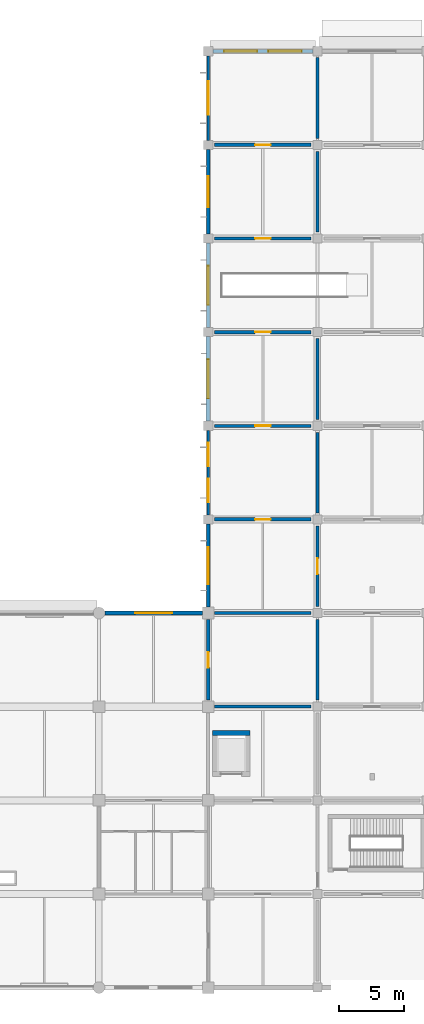
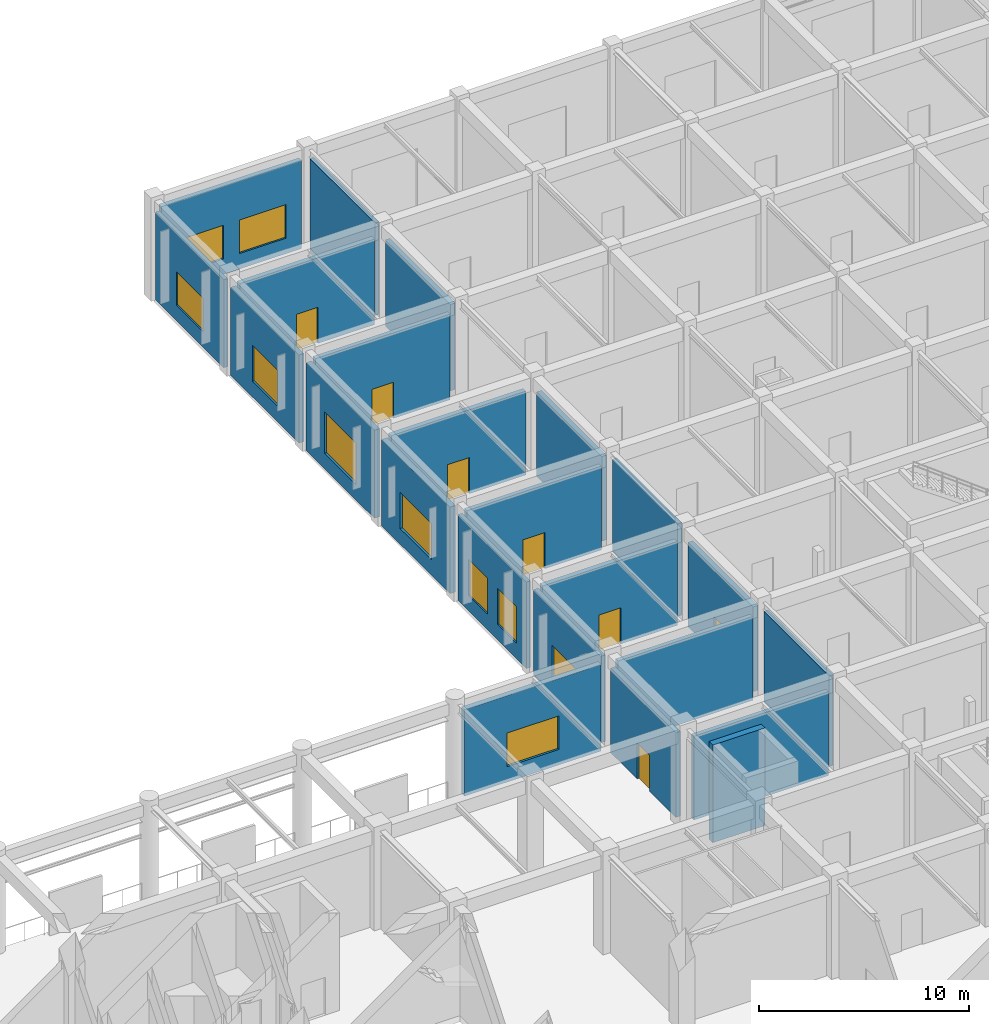
# One storey, part 22 of 39: 23 walls, 10 windows, 7 doors, 17 openings.
"""IFC4 building model written with IfcOpenShell, lengths in metres."""

from ifc_helpers import new_model, si_unit, derived_unit, direction, frame, frame_2d, origin, place, context, subcontext, project, spatial, rectangle, extrude, material, layer, layer_set, type_object, element, fill, save


model = new_model("IFC4")

# Units and contexts
model_context = context("Model", 3, precision=1e-05, world=origin(), true_north=direction((0.0, 1.0)))
body_context = subcontext(model_context, "Body", "Model", "MODEL_VIEW")
ifc_project = project(units=[si_unit("LENGTHUNIT", "METRE"), si_unit("AREAUNIT", "SQUARE_METRE"), si_unit("VOLUMEUNIT", "CUBIC_METRE"), si_unit("PLANEANGLEUNIT", "RADIAN"), si_unit("MASSUNIT", "GRAM", prefix="KILO"), derived_unit("THERMALTRANSMITTANCEUNIT", [(si_unit("MASSUNIT", "GRAM", prefix="KILO"), 1), (si_unit("TIMEUNIT", "SECOND"), -3), (si_unit("THERMODYNAMICTEMPERATUREUNIT", "KELVIN"), -1)])], contexts=[model_context])

# Site, building, storey
site_placement = place(None, origin())
site = spatial("IfcSite", under=ifc_project, at=site_placement, CompositionType="ELEMENT")
building_placement = place(site_placement, origin())
building = spatial("IfcBuilding", under=site, at=building_placement, Name="Veldstrom Oceanarium and Marine Research Institute", CompositionType="ELEMENT")
storey_placement = place(building_placement, origin())
storey = spatial("IfcBuildingStorey", under=building, at=storey_placement, Name="L00", CompositionType="ELEMENT", Elevation=0.0)

# Wall, opening, window
ifc_material_1 = material(Name="Masonry Cavity Wall", Category="masonry")
ifc_layer_1 = layer(ifc_material_1, 0.31005859375)
ifc_layer_set_1 = layer_set([ifc_layer_1], Name="ARC-WAL-EW1")
wall_type_1 = type_object("IfcWallType", Name="ARC-WAL-EW1", PredefinedType="SOLIDWALL", material=ifc_layer_set_1)
wall_1_placement = place(storey_placement, frame((117.60009765625, 86.75, 0.0), z_axis=(0.0, 0.0, 1.0), x_axis=(0.0, 1.0, 0.0)))
wall_1 = element("IfcWall", 1, at=wall_1_placement, inside=storey, type_object=wall_type_1, Name="Exterior Facade Wall EW1 L00-038", PredefinedType="SOLIDWALL", context=body_context, shape_type="SweptSolid", body=[
    extrude(rectangle(XDim=6.5, YDim=0.31005859375, at=frame_2d((3.25, 0.0))), origin(), (0.0, 0.0, 1.0), 5.02001953125),
])
opening_1_placement = place(wall_1_placement, frame((1.75, 0.0, 0.89990234375)))
opening_1 = element("IfcOpeningElement", 2, at=opening_1_placement, cuts=wall_1, Name="Opening W07", PredefinedType="OPENING", context=body_context, shape_type="SweptSolid", body=[
    extrude(rectangle(XDim=3.0, YDim=2.10009765625, at=frame_2d((1.5, 1.050048828125))), frame((0.0, 0.1650390625, 0.0), z_axis=(0.0, -1.0, 0.0), x_axis=(1.0, 0.0, 0.0)), (0.0, 0.0, 1.0), 0.330078125),
])
ifc_material_2 = material(Name="Double Glazed Low-E IGU", Category="glass")
window_type_1 = type_object("IfcWindowType", Name="ARC-WIN-W07", PartitioningType="SINGLE_PANEL", PredefinedType="WINDOW", material=ifc_material_2)
window_1_placement = place(opening_1_placement, origin())
window_1 = element("IfcWindow", 3, at=window_1_placement, inside=storey, type_object=window_type_1, Name="Facade Window W07 L00-0022", OverallHeight=2.10009765625, OverallWidth=3.0, PartitioningType="SINGLE_PANEL", PredefinedType="WINDOW", context=body_context, shape_type="SweptSolid", body=[
    extrude(rectangle(XDim=3.0, YDim=2.10009765625, at=frame_2d((1.5, 1.050048828125))), frame((0.0, 0.030029296875, 0.0), z_axis=(0.0, -1.0, 0.0), x_axis=(1.0, 0.0, 0.0)), (0.0, 0.0, 1.0), 0.06005859375),
])
fill(opening_1, window_1)

ifc_material_3 = material(Name="Masonry Cavity Wall", Category="masonry")
ifc_layer_2 = layer(ifc_material_3, 0.2900390625)
ifc_layer_set_2 = layer_set([ifc_layer_2], Name="ARC-WAL-EW2")
wall_type_2 = type_object("IfcWallType", Name="ARC-WAL-EW2", PredefinedType="SOLIDWALL", material=ifc_layer_set_2)
wall_2_placement = place(storey_placement, frame((109.64990234375, 72.0, 0.0), z_axis=(0.0, 0.0, 1.0), x_axis=(1.0, 0.0, 0.0)))
wall_2 = element("IfcWall", 4, at=wall_2_placement, inside=storey, type_object=wall_type_2, Name="Exterior Facade Wall EW2 L00-034", PredefinedType="SOLIDWALL", context=body_context, shape_type="SweptSolid", body=[
    extrude(rectangle(XDim=7.5, YDim=0.2900390625, at=frame_2d((3.75, 0.0))), origin(), (0.0, 0.0, 1.0), 5.02001953125),
])
opening_2_placement = place(wall_2_placement, frame((2.324951171875, 0.0, 0.89990234375)))
opening_2 = element("IfcOpeningElement", 5, at=opening_2_placement, cuts=wall_2, Name="Opening W19", PredefinedType="OPENING", context=body_context, shape_type="SweptSolid", body=[
    extrude(rectangle(XDim=2.85009765625, YDim=1.949951171875, at=frame_2d((1.425048828125, 0.97509765625))), frame((0.0, 0.155029296875, 0.0), z_axis=(0.0, -1.0, 0.0), x_axis=(1.0, 0.0, 0.0)), (0.0, 0.0, 1.0), 0.31005859375),
])
ifc_material_4 = material(Name="Double Glazed Low-E IGU", Category="glass")
window_type_2 = type_object("IfcWindowType", Name="ARC-WIN-W19", PartitioningType="SINGLE_PANEL", PredefinedType="WINDOW", material=ifc_material_4)
window_2_placement = place(opening_2_placement, origin())
window_2 = element("IfcWindow", 6, at=window_2_placement, inside=storey, type_object=window_type_2, Name="Facade Window W19 L00-0018", OverallHeight=1.949951171875, OverallWidth=2.85009765625, PartitioningType="SINGLE_PANEL", PredefinedType="WINDOW", context=body_context, shape_type="SweptSolid", body=[
    extrude(rectangle(XDim=2.85009765625, YDim=1.949951171875, at=frame_2d((1.425048828125, 0.97509765625))), frame((0.0, 0.030029296875, 0.0), z_axis=(0.0, -1.0, 0.0), x_axis=(1.0, 0.0, 0.0)), (0.0, 0.0, 1.0), 0.06005859375),
])
fill(opening_2, window_2)

wall_3_placement = place(storey_placement, frame((117.60009765625, 93.949951171875, 0.0), z_axis=(0.0, 0.0, 1.0), x_axis=(0.0, 1.0, 0.0)))
wall_3 = element("IfcWall", 7, at=wall_3_placement, inside=storey, type_object=wall_type_2, Name="Exterior Facade Wall EW2 L00-039", PredefinedType="SOLIDWALL", context=body_context, shape_type="SweptSolid", body=[
    extrude(rectangle(XDim=6.5, YDim=0.2900390625, at=frame_2d((3.25, 0.0))), origin(), (0.0, 0.0, 1.0), 5.1201171875),
])
opening_3_placement = place(wall_3_placement, frame((1.75, 0.0, 0.89990234375)))
opening_3 = element("IfcOpeningElement", 8, at=opening_3_placement, cuts=wall_3, Name="Opening W12", PredefinedType="OPENING", context=body_context, shape_type="SweptSolid", body=[
    extrude(rectangle(XDim=3.0, YDim=2.39990234375, at=frame_2d((1.5, 1.199951171875))), frame((0.0, 0.155029296875, 0.0), z_axis=(0.0, -1.0, 0.0), x_axis=(1.0, 0.0, 0.0)), (0.0, 0.0, 1.0), 0.31005859375),
])
ifc_material_5 = material(Name="Double Glazed Low-E IGU", Category="glass")
window_type_3 = type_object("IfcWindowType", Name="ARC-WIN-W12", PartitioningType="SINGLE_PANEL", PredefinedType="WINDOW", material=ifc_material_5)
window_3_placement = place(opening_3_placement, origin())
window_3 = element("IfcWindow", 9, at=window_3_placement, inside=storey, type_object=window_type_3, Name="Facade Window W12 L00-0023", OverallHeight=2.39990234375, OverallWidth=3.0, PartitioningType="SINGLE_PANEL", PredefinedType="WINDOW", context=body_context, shape_type="SweptSolid", body=[
    extrude(rectangle(XDim=3.0, YDim=2.39990234375, at=frame_2d((1.5, 1.199951171875))), frame((0.0, 0.030029296875, 0.0), z_axis=(0.0, -1.0, 0.0), x_axis=(1.0, 0.0, 0.0)), (0.0, 0.0, 1.0), 0.06005859375),
])
fill(opening_3, window_3)

ifc_material_6 = material(Name="Masonry Cavity Wall", Category="masonry")
ifc_layer_3 = layer(ifc_material_6, 0.27001953125)
ifc_layer_set_3 = layer_set([ifc_layer_3], Name="ARC-WAL-EW3")
wall_type_3 = type_object("IfcWallType", Name="ARC-WAL-EW3", PredefinedType="SOLIDWALL", material=ifc_layer_set_3)
wall_4_placement = place(storey_placement, frame((117.60009765625, 101.14990234375, 0.0), z_axis=(0.0, 0.0, 1.0), x_axis=(0.0, 1.0, 0.0)))
wall_4 = element("IfcWall", 10, at=wall_4_placement, inside=storey, type_object=wall_type_3, Name="Exterior Facade Wall EW3 L00-040", PredefinedType="SOLIDWALL", context=body_context, shape_type="SweptSolid", body=[
    extrude(rectangle(XDim=6.5, YDim=0.27001953125, at=frame_2d((3.25, 0.0))), origin(), (0.0, 0.0, 1.0), 5.1201171875),
])
opening_4_placement = place(wall_4_placement, frame((2.050048828125, 0.0, 0.89990234375)))
opening_4 = element("IfcOpeningElement", 11, at=opening_4_placement, cuts=wall_4, Name="Opening W09", PredefinedType="OPENING", context=body_context, shape_type="SweptSolid", body=[
    extrude(rectangle(XDim=2.39990234375, YDim=2.10009765625, at=frame_2d((1.199951171875, 1.050048828125))), frame((0.0, 0.14501953125, 0.0), z_axis=(0.0, -1.0, 0.0), x_axis=(1.0, 0.0, 0.0)), (0.0, 0.0, 1.0), 0.2900390625),
])
ifc_material_7 = material(Name="Double Glazed Low-E IGU", Category="glass")
window_type_4 = type_object("IfcWindowType", Name="ARC-WIN-W09", PartitioningType="SINGLE_PANEL", PredefinedType="WINDOW", material=ifc_material_7)
window_4_placement = place(opening_4_placement, origin())
window_4 = element("IfcWindow", 12, at=window_4_placement, inside=storey, type_object=window_type_4, Name="Facade Window W09 L00-0024", OverallHeight=2.10009765625, OverallWidth=2.39990234375, PartitioningType="SINGLE_PANEL", PredefinedType="WINDOW", context=body_context, shape_type="SweptSolid", body=[
    extrude(rectangle(XDim=2.39990234375, YDim=2.10009765625, at=frame_2d((1.199951171875, 1.050048828125))), frame((0.0, 0.030029296875, 0.0), z_axis=(0.0, -1.0, 0.0), x_axis=(1.0, 0.0, 0.0)), (0.0, 0.0, 1.0), 0.06005859375),
])
fill(opening_4, window_4)

ifc_material_8 = material(Name="Masonry Cavity Wall", Category="masonry")
ifc_layer_4 = layer(ifc_material_8, 0.25)
ifc_layer_set_4 = layer_set([ifc_layer_4], Name="ARC-WAL-EW5")
wall_type_4 = type_object("IfcWallType", Name="ARC-WAL-EW5", PredefinedType="SOLIDWALL", material=ifc_layer_set_4)
wall_5_placement = place(storey_placement, frame((117.60009765625, 72.449951171875, 0.0), z_axis=(0.0, 0.0, 1.0), x_axis=(0.0, 1.0, 0.0)))
wall_5 = element("IfcWall", 13, at=wall_5_placement, inside=storey, type_object=wall_type_4, Name="Exterior Facade Wall EW5 L00-036", PredefinedType="SOLIDWALL", context=body_context, shape_type="SweptSolid", body=[
    extrude(rectangle(XDim=6.400146484375, YDim=0.25, at=frame_2d((3.2001953125, 0.0))), origin(), (0.0, 0.0, 1.0), 5.02001953125),
])
opening_5_placement = place(wall_5_placement, frame((1.77490234375, 0.0, 0.89990234375)))
opening_5 = element("IfcOpeningElement", 14, at=opening_5_placement, cuts=wall_5, Name="Opening W19", PredefinedType="OPENING", context=body_context, shape_type="SweptSolid", body=[
    extrude(rectangle(XDim=2.85009765625, YDim=1.949951171875, at=frame_2d((1.425048828125, 0.97509765625))), frame((0.0, 0.135009765625, 0.0), z_axis=(0.0, -1.0, 0.0), x_axis=(1.0, 0.0, 0.0)), (0.0, 0.0, 1.0), 0.27001953125),
])
window_5_placement = place(opening_5_placement, origin())
window_5 = element("IfcWindow", 15, at=window_5_placement, inside=storey, type_object=window_type_2, Name="Facade Window W19 L00-0019", OverallHeight=1.949951171875, OverallWidth=2.85009765625, PartitioningType="SINGLE_PANEL", PredefinedType="WINDOW", context=body_context, shape_type="SweptSolid", body=[
    extrude(rectangle(XDim=2.85009765625, YDim=1.949951171875, at=frame_2d((1.425048828125, 0.97509765625))), frame((0.0, 0.030029296875, 0.0), z_axis=(0.0, -1.0, 0.0), x_axis=(1.0, 0.0, 0.0)), (0.0, 0.0, 1.0), 0.06005859375),
])
fill(opening_5, window_5)

# Wall, openings, windows
wall_6_placement = place(storey_placement, frame((117.949951171875, 115.199951171875, 0.0), z_axis=(0.0, 0.0, 1.0), x_axis=(1.0, 0.0, 0.0)))
wall_6 = element("IfcWall", 16, at=wall_6_placement, inside=storey, type_object=wall_type_4, Name="Exterior Facade Wall EW5 L00-041", PredefinedType="SOLIDWALL", context=body_context, shape_type="SweptSolid", body=[
    extrude(rectangle(XDim=7.699951171875, YDim=0.25, at=frame_2d((3.85009765625, 0.0))), origin(), (0.0, 0.0, 1.0), 5.1201171875),
])
opening_6_placement = place(wall_6_placement, frame((0.86669921875, 0.0, 0.89990234375)))
opening_6 = element("IfcOpeningElement", 17, at=opening_6_placement, cuts=wall_6, Name="Opening W20", PredefinedType="OPENING", context=body_context, shape_type="SweptSolid", body=[
    extrude(rectangle(XDim=2.550048828125, YDim=1.949951171875, at=frame_2d((1.27490234375, 0.97509765625))), frame((0.0, 0.135009765625, 0.0), z_axis=(0.0, -1.0, 0.0), x_axis=(1.0, 0.0, 0.0)), (0.0, 0.0, 1.0), 0.27001953125),
])
opening_7_placement = place(wall_6_placement, frame((4.283203125, 0.0, 0.89990234375)))
opening_7 = element("IfcOpeningElement", 18, at=opening_7_placement, cuts=wall_6, Name="Opening W20", PredefinedType="OPENING", context=body_context, shape_type="SweptSolid", body=[
    extrude(rectangle(XDim=2.550048828125, YDim=1.949951171875, at=frame_2d((1.27490234375, 0.97509765625))), frame((0.0, 0.135009765625, 0.0), z_axis=(0.0, -1.0, 0.0), x_axis=(1.0, 0.0, 0.0)), (0.0, 0.0, 1.0), 0.27001953125),
])
ifc_material_9 = material(Name="Double Glazed Low-E IGU", Category="glass")
window_type_5 = type_object("IfcWindowType", Name="ARC-WIN-W20", PartitioningType="SINGLE_PANEL", PredefinedType="WINDOW", material=ifc_material_9)
window_6_placement = place(opening_6_placement, origin())
window_6 = element("IfcWindow", 19, at=window_6_placement, inside=storey, type_object=window_type_5, Name="Facade Window W20 L00-0025", OverallHeight=1.949951171875, OverallWidth=2.550048828125, PartitioningType="SINGLE_PANEL", PredefinedType="WINDOW", context=body_context, shape_type="SweptSolid", body=[
    extrude(rectangle(XDim=2.550048828125, YDim=1.949951171875, at=frame_2d((1.27490234375, 0.97509765625))), frame((0.0, 0.030029296875, 0.0), z_axis=(0.0, -1.0, 0.0), x_axis=(1.0, 0.0, 0.0)), (0.0, 0.0, 1.0), 0.06005859375),
])
fill(opening_6, window_6)
window_7_placement = place(opening_7_placement, origin())
window_7 = element("IfcWindow", 20, at=window_7_placement, inside=storey, type_object=window_type_5, Name="Facade Window W20 L00-0026", OverallHeight=1.949951171875, OverallWidth=2.550048828125, PartitioningType="SINGLE_PANEL", PredefinedType="WINDOW", context=body_context, shape_type="SweptSolid", body=[
    extrude(rectangle(XDim=2.550048828125, YDim=1.949951171875, at=frame_2d((1.27490234375, 0.97509765625))), frame((0.0, 0.030029296875, 0.0), z_axis=(0.0, -1.0, 0.0), x_axis=(1.0, 0.0, 0.0)), (0.0, 0.0, 1.0), 0.06005859375),
])
fill(opening_7, window_7)

ifc_material_10 = material(Name="Masonry Cavity Wall", Category="masonry")
ifc_layer_5 = layer(ifc_material_10, 0.215087890625)
ifc_layer_set_5 = layer_set([ifc_layer_5], Name="ARC-WAL-EW6")
wall_type_5 = type_object("IfcWallType", Name="ARC-WAL-EW6", PredefinedType="SOLIDWALL", material=ifc_layer_set_5)
wall_7_placement = place(storey_placement, frame((117.60009765625, 79.550048828125, 0.0), z_axis=(0.0, 0.0, 1.0), x_axis=(0.0, 1.0, 0.0)))
wall_7 = element("IfcWall", 21, at=wall_7_placement, inside=storey, type_object=wall_type_5, Name="Exterior Facade Wall EW6 L00-037", PredefinedType="SOLIDWALL", context=body_context, shape_type="SweptSolid", body=[
    extrude(rectangle(XDim=6.5, YDim=0.215087890625, at=frame_2d((3.25, 0.0))), origin(), (0.0, 0.0, 1.0), 5.02001953125),
])
opening_8_placement = place(wall_7_placement, frame((0.966796875, 0.0, 0.89990234375)))
opening_8 = element("IfcOpeningElement", 22, at=opening_8_placement, cuts=wall_7, Name="Opening W10", PredefinedType="OPENING", context=body_context, shape_type="SweptSolid", body=[
    extrude(rectangle(XDim=1.800048828125, YDim=2.10009765625, at=frame_2d((0.89990234375, 1.050048828125))), frame((0.0, 0.117431640625, 0.0), z_axis=(0.0, -1.0, 0.0), x_axis=(1.0, 0.0, 0.0)), (0.0, 0.0, 1.0), 0.235107421875),
])
opening_9_placement = place(wall_7_placement, frame((3.7333984375, 0.0, 0.89990234375)))
opening_9 = element("IfcOpeningElement", 23, at=opening_9_placement, cuts=wall_7, Name="Opening W10", PredefinedType="OPENING", context=body_context, shape_type="SweptSolid", body=[
    extrude(rectangle(XDim=1.800048828125, YDim=2.10009765625, at=frame_2d((0.89990234375, 1.050048828125))), frame((0.0, 0.117431640625, 0.0), z_axis=(0.0, -1.0, 0.0), x_axis=(1.0, 0.0, 0.0)), (0.0, 0.0, 1.0), 0.235107421875),
])
ifc_material_11 = material(Name="Double Glazed Low-E IGU", Category="glass")
window_type_6 = type_object("IfcWindowType", Name="ARC-WIN-W10", PartitioningType="SINGLE_PANEL", PredefinedType="WINDOW", material=ifc_material_11)
window_8_placement = place(opening_8_placement, origin())
window_8 = element("IfcWindow", 24, at=window_8_placement, inside=storey, type_object=window_type_6, Name="Facade Window W10 L00-0020", OverallHeight=2.10009765625, OverallWidth=1.800048828125, PartitioningType="SINGLE_PANEL", PredefinedType="WINDOW", context=body_context, shape_type="SweptSolid", body=[
    extrude(rectangle(XDim=1.800048828125, YDim=2.10009765625, at=frame_2d((0.89990234375, 1.050048828125))), frame((0.0, 0.030029296875, 0.0), z_axis=(0.0, -1.0, 0.0), x_axis=(1.0, 0.0, 0.0)), (0.0, 0.0, 1.0), 0.06005859375),
])
fill(opening_8, window_8)
window_9_placement = place(opening_9_placement, origin())
window_9 = element("IfcWindow", 25, at=window_9_placement, inside=storey, type_object=window_type_6, Name="Facade Window W10 L00-0021", OverallHeight=2.10009765625, OverallWidth=1.800048828125, PartitioningType="SINGLE_PANEL", PredefinedType="WINDOW", context=body_context, shape_type="SweptSolid", body=[
    extrude(rectangle(XDim=1.800048828125, YDim=2.10009765625, at=frame_2d((0.89990234375, 1.050048828125))), frame((0.0, 0.030029296875, 0.0), z_axis=(0.0, -1.0, 0.0), x_axis=(1.0, 0.0, 0.0)), (0.0, 0.0, 1.0), 0.06005859375),
])
fill(opening_9, window_9)

# Wall, opening, window
wall_8_placement = place(storey_placement, frame((117.60009765625, 108.35009765625, 0.0), z_axis=(0.0, 0.0, 1.0), x_axis=(0.0, 1.0, 0.0)))
wall_8 = element("IfcWall", 26, at=wall_8_placement, inside=storey, type_object=wall_type_5, Name="Exterior Facade Wall EW6 L00-042", PredefinedType="SOLIDWALL", context=body_context, shape_type="SweptSolid", body=[
    extrude(rectangle(XDim=6.5, YDim=0.215087890625, at=frame_2d((3.25, 0.0))), origin(), (0.0, 0.0, 1.0), 5.1201171875),
])
opening_10_placement = place(wall_8_placement, frame((1.97509765625, 0.0, 0.89990234375)))
opening_10 = element("IfcOpeningElement", 27, at=opening_10_placement, cuts=wall_8, Name="Opening W20", PredefinedType="OPENING", context=body_context, shape_type="SweptSolid", body=[
    extrude(rectangle(XDim=2.550048828125, YDim=1.949951171875, at=frame_2d((1.27490234375, 0.97509765625))), frame((0.0, 0.117431640625, 0.0), z_axis=(0.0, -1.0, 0.0), x_axis=(1.0, 0.0, 0.0)), (0.0, 0.0, 1.0), 0.235107421875),
])
window_10_placement = place(opening_10_placement, origin())
window_10 = element("IfcWindow", 28, at=window_10_placement, inside=storey, type_object=window_type_5, Name="Facade Window W20 L00-0027", OverallHeight=1.949951171875, OverallWidth=2.550048828125, PartitioningType="SINGLE_PANEL", PredefinedType="WINDOW", context=body_context, shape_type="SweptSolid", body=[
    extrude(rectangle(XDim=2.550048828125, YDim=1.949951171875, at=frame_2d((1.27490234375, 0.97509765625))), frame((0.0, 0.030029296875, 0.0), z_axis=(0.0, -1.0, 0.0), x_axis=(1.0, 0.0, 0.0)), (0.0, 0.0, 1.0), 0.06005859375),
])
fill(opening_10, window_10)

# Walls
ifc_material_12 = material(Name="Masonry Fire Compartment Wall", Category="masonry")
ifc_layer_6 = layer(ifc_material_12, 0.22998046875)
ifc_layer_set_6 = layer_set([ifc_layer_6], Name="ARC-WAL-PT1")
wall_type_6 = type_object("IfcWallType", Name="ARC-WAL-PT1", PredefinedType="PARTITIONING", material=ifc_layer_set_6)
wall_9_placement = place(storey_placement, frame((118.10009765625, 64.800048828125, 0.0), z_axis=(0.0, 0.0, 1.0), x_axis=(1.0, 0.0, 0.0)))
element("IfcWall", 29, at=wall_9_placement, inside=storey, type_object=wall_type_6, Name="Interior Partition PT1 L00-0729", PredefinedType="PARTITIONING", context=body_context, shape_type="SweptSolid", body=[
    extrude(rectangle(XDim=7.39990234375, YDim=0.22998046875, at=frame_2d((3.699951171875, 0.0))), origin(), (0.0, 0.0, 1.0), 4.8701171875),
])
wall_10_placement = place(storey_placement, frame((126.0, 65.300048828125, 0.0), z_axis=(0.0, 0.0, 1.0), x_axis=(0.0, 1.0, 0.0)))
element("IfcWall", 30, at=wall_10_placement, inside=storey, type_object=wall_type_6, Name="Interior Partition PT1 L00-0730", PredefinedType="PARTITIONING", context=body_context, shape_type="SweptSolid", body=[
    extrude(rectangle(XDim=6.199951171875, YDim=0.22998046875, at=frame_2d((3.10009765625, 0.0))), origin(), (0.0, 0.0, 1.0), 5.27001953125),
])
wall_11_placement = place(storey_placement, frame((118.10009765625, 72.0, 0.0), z_axis=(0.0, 0.0, 1.0), x_axis=(1.0, 0.0, 0.0)))
element("IfcWall", 31, at=wall_11_placement, inside=storey, type_object=wall_type_6, Name="Interior Partition PT1 L00-0731", PredefinedType="PARTITIONING", context=body_context, shape_type="SweptSolid", body=[
    extrude(rectangle(XDim=7.39990234375, YDim=0.22998046875, at=frame_2d((3.699951171875, 0.0))), origin(), (0.0, 0.0, 1.0), 4.8701171875),
])
wall_12_placement = place(storey_placement, frame((126.0, 79.699951171875, 0.0), z_axis=(0.0, 0.0, 1.0), x_axis=(0.0, 1.0, 0.0)))
element("IfcWall", 32, at=wall_12_placement, inside=storey, type_object=wall_type_6, Name="Interior Partition PT1 L00-0734", PredefinedType="PARTITIONING", context=body_context, shape_type="SweptSolid", body=[
    extrude(rectangle(XDim=6.199951171875, YDim=0.22998046875, at=frame_2d((3.10009765625, 0.0))), origin(), (0.0, 0.0, 1.0), 5.3798828125),
])

# Wall, opening, door
wall_13_placement = place(storey_placement, frame((118.10009765625, 86.39990234375, 0.0), z_axis=(0.0, 0.0, 1.0), x_axis=(1.0, 0.0, 0.0)))
wall_13 = element("IfcWall", 33, at=wall_13_placement, inside=storey, type_object=wall_type_6, Name="Interior Partition PT1 L00-0735", PredefinedType="PARTITIONING", context=body_context, shape_type="SweptSolid", body=[
    extrude(rectangle(XDim=7.39990234375, YDim=0.22998046875, at=frame_2d((3.699951171875, 0.0))), origin(), (0.0, 0.0, 1.0), 4.8701171875),
])
opening_11_placement = place(wall_13_placement, frame((3.10009765625, 0.0, 0.0)))
opening_11 = element("IfcOpeningElement", 34, at=opening_11_placement, cuts=wall_13, Name="Opening D-L00-424", PredefinedType="OPENING", context=body_context, shape_type="SweptSolid", body=[
    extrude(rectangle(XDim=1.199951171875, YDim=2.10009765625, at=frame_2d((0.60009765625, 1.050048828125))), frame((0.0, 0.125, 0.0), z_axis=(0.0, -1.0, 0.0), x_axis=(1.0, 0.0, 0.0)), (0.0, 0.0, 1.0), 0.25),
])
ifc_material_13 = material(Name="Quarantine Biosecure Door", Category="steel")
door_type = type_object("IfcDoorType", Name="ARC-DOR-ID06", OperationType="SINGLE_SWING_RIGHT", PredefinedType="DOOR", material=ifc_material_13)
door_1_placement = place(opening_11_placement, frame((1.199951171875, 0.0, 0.0), z_axis=(0.0, 0.0, 1.0), x_axis=(-1.0, 0.0, 0.0)))
door_1 = element("IfcDoor", 35, at=door_1_placement, inside=storey, type_object=door_type, Name="Interior Door D-L00-424", OperationType="SINGLE_SWING_LEFT", OverallHeight=2.10009765625, OverallWidth=1.199951171875, PredefinedType="DOOR", context=body_context, shape_type="SweptSolid", body=[
    extrude(rectangle(XDim=1.199951171875, YDim=2.10009765625, at=frame_2d((0.60009765625, 1.050048828125))), frame((0.0, 0.02490234375, 0.0), z_axis=(0.0, -1.0, 0.0), x_axis=(1.0, 0.0, 0.0)), (0.0, 0.0, 1.0), 0.050048828125),
])
fill(opening_11, door_1)

wall_14_placement = place(storey_placement, frame((118.10009765625, 100.800048828125, 0.0), z_axis=(0.0, 0.0, 1.0), x_axis=(1.0, 0.0, 0.0)))
wall_14 = element("IfcWall", 36, at=wall_14_placement, inside=storey, type_object=wall_type_6, Name="Interior Partition PT1 L00-0738", PredefinedType="PARTITIONING", context=body_context, shape_type="SweptSolid", body=[
    extrude(rectangle(XDim=7.39990234375, YDim=0.22998046875, at=frame_2d((3.699951171875, 0.0))), origin(), (0.0, 0.0, 1.0), 4.969970703125),
])
opening_12_placement = place(wall_14_placement, frame((3.10009765625, 0.0, 0.0)))
opening_12 = element("IfcOpeningElement", 37, at=opening_12_placement, cuts=wall_14, Name="Opening D-L00-426", PredefinedType="OPENING", context=body_context, shape_type="SweptSolid", body=[
    extrude(rectangle(XDim=1.199951171875, YDim=2.10009765625, at=frame_2d((0.60009765625, 1.050048828125))), frame((0.0, 0.125, 0.0), z_axis=(0.0, -1.0, 0.0), x_axis=(1.0, 0.0, 0.0)), (0.0, 0.0, 1.0), 0.25),
])
door_2_placement = place(opening_12_placement, frame((1.199951171875, 0.0, 0.0), z_axis=(0.0, 0.0, 1.0), x_axis=(-1.0, 0.0, 0.0)))
door_2 = element("IfcDoor", 38, at=door_2_placement, inside=storey, type_object=door_type, Name="Interior Door D-L00-426", OperationType="SINGLE_SWING_LEFT", OverallHeight=2.10009765625, OverallWidth=1.199951171875, PredefinedType="DOOR", context=body_context, shape_type="SweptSolid", body=[
    extrude(rectangle(XDim=1.199951171875, YDim=2.10009765625, at=frame_2d((0.60009765625, 1.050048828125))), frame((0.0, 0.02490234375, 0.0), z_axis=(0.0, -1.0, 0.0), x_axis=(1.0, 0.0, 0.0)), (0.0, 0.0, 1.0), 0.050048828125),
])
fill(opening_12, door_2)

# Wall
wall_15_placement = place(storey_placement, frame((126.0, 108.5, 0.0), z_axis=(0.0, 0.0, 1.0), x_axis=(0.0, 1.0, 0.0)))
element("IfcWall", 39, at=wall_15_placement, inside=storey, type_object=wall_type_6, Name="Interior Partition PT1 L00-0741", PredefinedType="PARTITIONING", context=body_context, shape_type="SweptSolid", body=[
    extrude(rectangle(XDim=6.199951171875, YDim=0.22998046875, at=frame_2d((3.10009765625, 0.0))), origin(), (0.0, 0.0, 1.0), 5.3701171875),
])

# Wall, opening, door
ifc_material_14 = material(Name="Plant Acoustic Masonry Wall", Category="masonry")
ifc_layer_7 = layer(ifc_material_14, 0.260009765625)
ifc_layer_set_7 = layer_set([ifc_layer_7], Name="ARC-WAL-PT8")
wall_type_7 = type_object("IfcWallType", Name="ARC-WAL-PT8", PredefinedType="PARTITIONING", material=ifc_layer_set_7)
wall_16_placement = place(storey_placement, frame((117.60009765625, 65.300048828125, 0.0), z_axis=(0.0, 0.0, 1.0), x_axis=(0.0, 1.0, 0.0)))
wall_16 = element("IfcWall", 40, at=wall_16_placement, inside=storey, type_object=wall_type_7, Name="Interior Partition PT8 L00-0723", PredefinedType="PARTITIONING", context=body_context, shape_type="SweptSolid", body=[
    extrude(rectangle(XDim=6.199951171875, YDim=0.260009765625, at=frame_2d((3.10009765625, 0.0))), origin(), (0.0, 0.0, 1.0), 4.919921875),
])
opening_13_placement = place(wall_16_placement, frame((2.5, 0.0, 0.0)))
opening_13 = element("IfcOpeningElement", 41, at=opening_13_placement, cuts=wall_16, Name="Opening D-L00-418", PredefinedType="OPENING", context=body_context, shape_type="SweptSolid", body=[
    extrude(rectangle(XDim=1.199951171875, YDim=2.10009765625, at=frame_2d((0.60009765625, 1.050048828125))), frame((0.0, 0.139892578125, 0.0), z_axis=(0.0, -1.0, 0.0), x_axis=(1.0, 0.0, 0.0)), (0.0, 0.0, 1.0), 0.280029296875),
])
door_3_placement = place(opening_13_placement, origin())
door_3 = element("IfcDoor", 42, at=door_3_placement, inside=storey, type_object=door_type, Name="Interior Door D-L00-418", OperationType="SINGLE_SWING_LEFT", OverallHeight=2.10009765625, OverallWidth=1.199951171875, PredefinedType="DOOR", context=body_context, shape_type="SweptSolid", body=[
    extrude(rectangle(XDim=1.199951171875, YDim=2.10009765625, at=frame_2d((0.60009765625, 1.050048828125))), frame((0.0, 0.02490234375, 0.0), z_axis=(0.0, -1.0, 0.0), x_axis=(1.0, 0.0, 0.0)), (0.0, 0.0, 1.0), 0.050048828125),
])
fill(opening_13, door_3)

wall_17_placement = place(storey_placement, frame((126.0, 72.5, 0.0), z_axis=(0.0, 0.0, 1.0), x_axis=(0.0, 1.0, 0.0)))
wall_17 = element("IfcWall", 43, at=wall_17_placement, inside=storey, type_object=wall_type_7, Name="Interior Partition PT8 L00-0732", PredefinedType="PARTITIONING", context=body_context, shape_type="SweptSolid", body=[
    extrude(rectangle(XDim=6.199951171875, YDim=0.260009765625, at=frame_2d((3.10009765625, 0.0))), origin(), (0.0, 0.0, 1.0), 4.919921875),
])
opening_14_placement = place(wall_17_placement, frame((2.5, 0.0, 0.0)))
opening_14 = element("IfcOpeningElement", 44, at=opening_14_placement, cuts=wall_17, Name="Opening D-L00-422", PredefinedType="OPENING", context=body_context, shape_type="SweptSolid", body=[
    extrude(rectangle(XDim=1.199951171875, YDim=2.10009765625, at=frame_2d((0.60009765625, 1.050048828125))), frame((0.0, 0.139892578125, 0.0), z_axis=(0.0, -1.0, 0.0), x_axis=(1.0, 0.0, 0.0)), (0.0, 0.0, 1.0), 0.280029296875),
])
door_4_placement = place(opening_14_placement, frame((1.199951171875, 0.0, 0.0), z_axis=(0.0, 0.0, 1.0), x_axis=(-1.0, 0.0, 0.0)))
door_4 = element("IfcDoor", 45, at=door_4_placement, inside=storey, type_object=door_type, Name="Interior Door D-L00-422", OperationType="SINGLE_SWING_RIGHT", OverallHeight=2.10009765625, OverallWidth=1.199951171875, PredefinedType="DOOR", context=body_context, shape_type="SweptSolid", body=[
    extrude(rectangle(XDim=1.199951171875, YDim=2.10009765625, at=frame_2d((0.60009765625, 1.050048828125))), frame((0.0, 0.02490234375, 0.0), z_axis=(0.0, -1.0, 0.0), x_axis=(1.0, 0.0, 0.0)), (0.0, 0.0, 1.0), 0.050048828125),
])
fill(opening_14, door_4)

wall_18_placement = place(storey_placement, frame((118.10009765625, 79.199951171875, 0.0), z_axis=(0.0, 0.0, 1.0), x_axis=(1.0, 0.0, 0.0)))
wall_18 = element("IfcWall", 46, at=wall_18_placement, inside=storey, type_object=wall_type_7, Name="Interior Partition PT8 L00-0733", PredefinedType="PARTITIONING", context=body_context, shape_type="SweptSolid", body=[
    extrude(rectangle(XDim=7.39990234375, YDim=0.260009765625, at=frame_2d((3.699951171875, 0.0))), origin(), (0.0, 0.0, 1.0), 4.8701171875),
])
opening_15_placement = place(wall_18_placement, frame((3.10009765625, 0.0, 0.0)))
opening_15 = element("IfcOpeningElement", 47, at=opening_15_placement, cuts=wall_18, Name="Opening D-L00-423", PredefinedType="OPENING", context=body_context, shape_type="SweptSolid", body=[
    extrude(rectangle(XDim=1.199951171875, YDim=2.10009765625, at=frame_2d((0.60009765625, 1.050048828125))), frame((0.0, 0.139892578125, 0.0), z_axis=(0.0, -1.0, 0.0), x_axis=(1.0, 0.0, 0.0)), (0.0, 0.0, 1.0), 0.280029296875),
])
door_5_placement = place(opening_15_placement, origin())
door_5 = element("IfcDoor", 48, at=door_5_placement, inside=storey, type_object=door_type, Name="Interior Door D-L00-423", OperationType="SINGLE_SWING_LEFT", OverallHeight=2.10009765625, OverallWidth=1.199951171875, PredefinedType="DOOR", context=body_context, shape_type="SweptSolid", body=[
    extrude(rectangle(XDim=1.199951171875, YDim=2.10009765625, at=frame_2d((0.60009765625, 1.050048828125))), frame((0.0, 0.02490234375, 0.0), z_axis=(0.0, -1.0, 0.0), x_axis=(1.0, 0.0, 0.0)), (0.0, 0.0, 1.0), 0.050048828125),
])
fill(opening_15, door_5)

# Wall
wall_19_placement = place(storey_placement, frame((126.0, 86.89990234375, 0.0), z_axis=(0.0, 0.0, 1.0), x_axis=(0.0, 1.0, 0.0)))
element("IfcWall", 49, at=wall_19_placement, inside=storey, type_object=wall_type_7, Name="Interior Partition PT8 L00-0736", PredefinedType="PARTITIONING", context=body_context, shape_type="SweptSolid", body=[
    extrude(rectangle(XDim=6.2001953125, YDim=0.260009765625, at=frame_2d((3.10009765625, 0.0))), origin(), (0.0, 0.0, 1.0), 4.919921875),
])

# Wall, opening, door
wall_20_placement = place(storey_placement, frame((118.10009765625, 93.60009765625, 0.0), z_axis=(0.0, 0.0, 1.0), x_axis=(1.0, 0.0, 0.0)))
wall_20 = element("IfcWall", 50, at=wall_20_placement, inside=storey, type_object=wall_type_7, Name="Interior Partition PT8 L00-0737", PredefinedType="PARTITIONING", context=body_context, shape_type="SweptSolid", body=[
    extrude(rectangle(XDim=7.39990234375, YDim=0.260009765625, at=frame_2d((3.699951171875, 0.0))), origin(), (0.0, 0.0, 1.0), 4.8701171875),
])
opening_16_placement = place(wall_20_placement, frame((3.10009765625, 0.0, 0.0)))
opening_16 = element("IfcOpeningElement", 51, at=opening_16_placement, cuts=wall_20, Name="Opening D-L00-425", PredefinedType="OPENING", context=body_context, shape_type="SweptSolid", body=[
    extrude(rectangle(XDim=1.199951171875, YDim=2.10009765625, at=frame_2d((0.60009765625, 1.050048828125))), frame((0.0, 0.139892578125, 0.0), z_axis=(0.0, -1.0, 0.0), x_axis=(1.0, 0.0, 0.0)), (0.0, 0.0, 1.0), 0.280029296875),
])
door_6_placement = place(opening_16_placement, origin())
door_6 = element("IfcDoor", 52, at=door_6_placement, inside=storey, type_object=door_type, Name="Interior Door D-L00-425", OperationType="SINGLE_SWING_LEFT", OverallHeight=2.10009765625, OverallWidth=1.199951171875, PredefinedType="DOOR", context=body_context, shape_type="SweptSolid", body=[
    extrude(rectangle(XDim=1.199951171875, YDim=2.10009765625, at=frame_2d((0.60009765625, 1.050048828125))), frame((0.0, 0.02490234375, 0.0), z_axis=(0.0, -1.0, 0.0), x_axis=(1.0, 0.0, 0.0)), (0.0, 0.0, 1.0), 0.050048828125),
])
fill(opening_16, door_6)

# Wall
wall_21_placement = place(storey_placement, frame((126.0, 101.300048828125, 0.0), z_axis=(0.0, 0.0, 1.0), x_axis=(0.0, 1.0, 0.0)))
element("IfcWall", 53, at=wall_21_placement, inside=storey, type_object=wall_type_7, Name="Interior Partition PT8 L00-0739", PredefinedType="PARTITIONING", context=body_context, shape_type="SweptSolid", body=[
    extrude(rectangle(XDim=6.199951171875, YDim=0.260009765625, at=frame_2d((3.10009765625, 0.0))), origin(), (0.0, 0.0, 1.0), 5.02001953125),
])

# Wall, opening, door
wall_22_placement = place(storey_placement, frame((118.10009765625, 108.0, 0.0), z_axis=(0.0, 0.0, 1.0), x_axis=(1.0, 0.0, 0.0)))
wall_22 = element("IfcWall", 54, at=wall_22_placement, inside=storey, type_object=wall_type_7, Name="Interior Partition PT8 L00-0740", PredefinedType="PARTITIONING", context=body_context, shape_type="SweptSolid", body=[
    extrude(rectangle(XDim=7.39990234375, YDim=0.260009765625, at=frame_2d((3.699951171875, 0.0))), origin(), (0.0, 0.0, 1.0), 4.969970703125),
])
opening_17_placement = place(wall_22_placement, frame((3.10009765625, 0.0, 0.0)))
opening_17 = element("IfcOpeningElement", 55, at=opening_17_placement, cuts=wall_22, Name="Opening D-L00-427", PredefinedType="OPENING", context=body_context, shape_type="SweptSolid", body=[
    extrude(rectangle(XDim=1.199951171875, YDim=2.10009765625, at=frame_2d((0.60009765625, 1.050048828125))), frame((0.0, 0.139892578125, 0.0), z_axis=(0.0, -1.0, 0.0), x_axis=(1.0, 0.0, 0.0)), (0.0, 0.0, 1.0), 0.280029296875),
])
door_7_placement = place(opening_17_placement, origin())
door_7 = element("IfcDoor", 56, at=door_7_placement, inside=storey, type_object=door_type, Name="Interior Door D-L00-427", OperationType="SINGLE_SWING_LEFT", OverallHeight=2.10009765625, OverallWidth=1.199951171875, PredefinedType="DOOR", context=body_context, shape_type="SweptSolid", body=[
    extrude(rectangle(XDim=1.199951171875, YDim=2.10009765625, at=frame_2d((0.60009765625, 1.050048828125))), frame((0.0, 0.02490234375, 0.0), z_axis=(0.0, -1.0, 0.0), x_axis=(1.0, 0.0, 0.0)), (0.0, 0.0, 1.0), 0.050048828125),
])
fill(opening_17, door_7)

# Wall
ifc_material_15 = material(Name="Concrete C40/50", Category="concrete")
ifc_layer_8 = layer(ifc_material_15, 0.360107421875)
ifc_layer_set_8 = layer_set([ifc_layer_8], Name="STR-WAL-WC2")
wall_type_8 = type_object("IfcWallType", Name="STR-WAL-WC2", PredefinedType="SHEAR", material=ifc_layer_set_8)
wall_23_placement = place(storey_placement, frame((117.93994140625, 62.780029296875, 0.0), z_axis=(0.0, 0.0, 1.0), x_axis=(1.0, 0.0, 0.0)))
element("IfcWall", 57, at=wall_23_placement, inside=storey, type_object=wall_type_8, Name="Lift Shaft Shear Wall N L00 14/8", PredefinedType="SHEAR", context=body_context, shape_type="SweptSolid", body=[
    extrude(rectangle(XDim=2.8701171875, YDim=0.360107421875, at=frame_2d((1.43505859375, 0.0))), origin(), (0.0, 0.0, 1.0), 5.675048828125),
])

save(model, "model.ifc")
